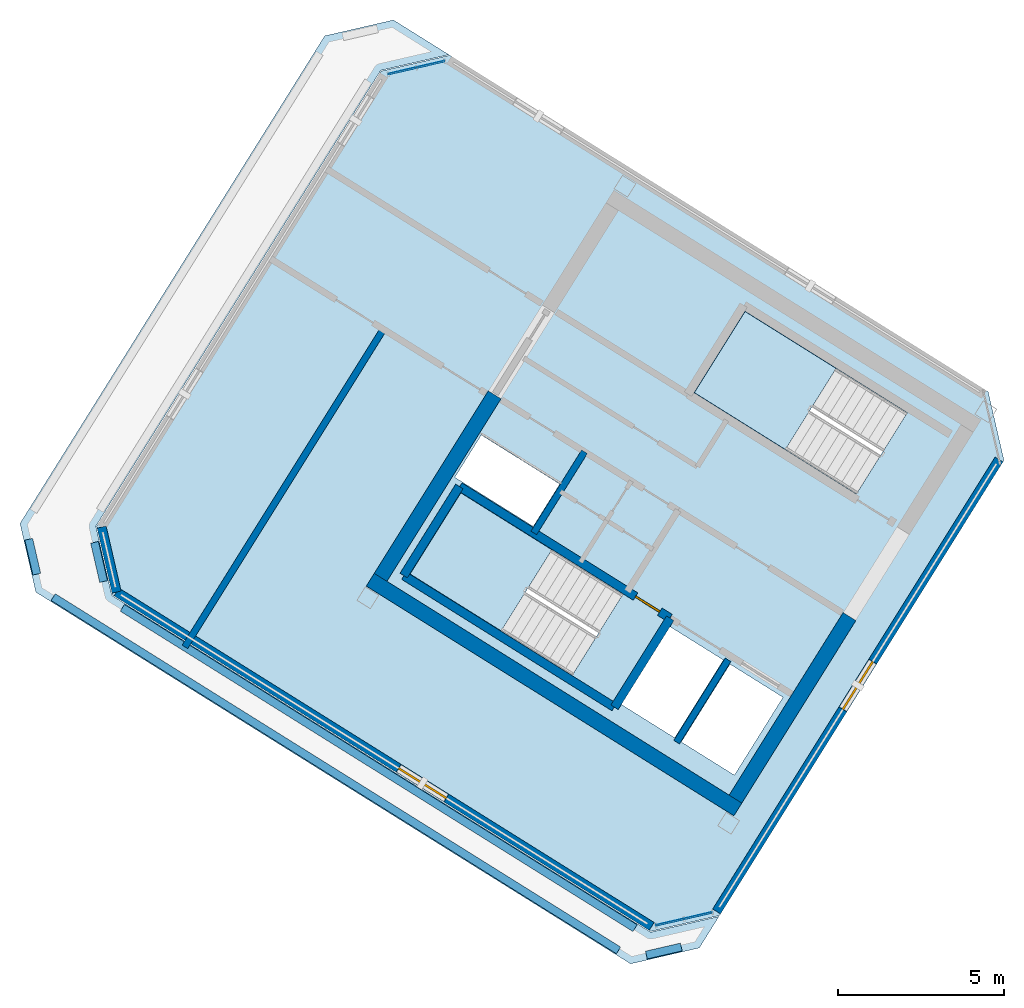
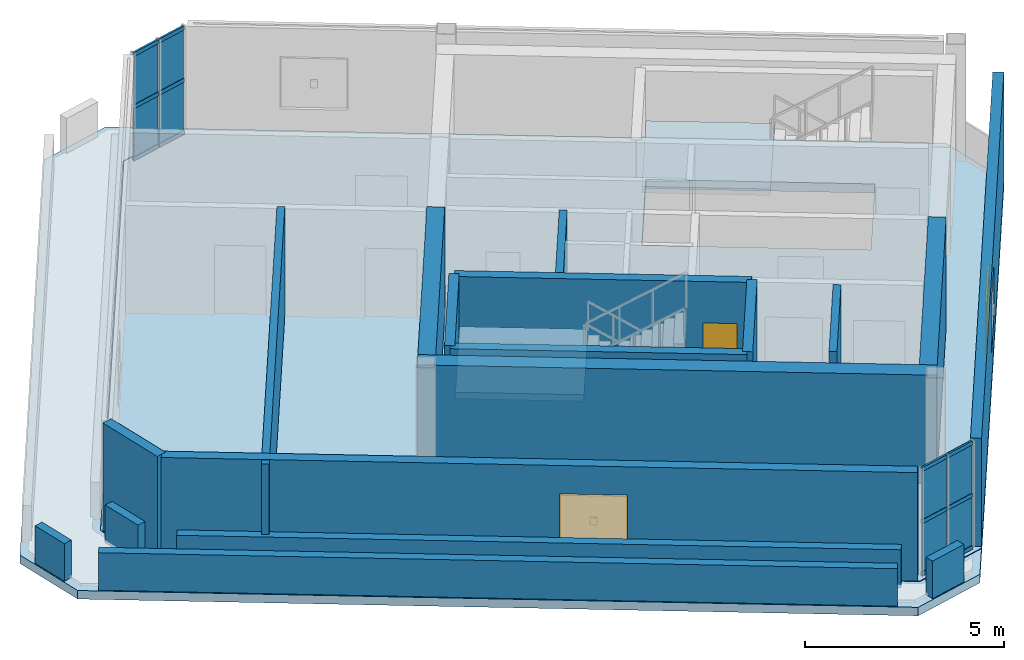
# One storey, part 4 of 9: 18 walls, 12 members, 8 plates, 4 slabs, 2 windows, 1 door, 3 openings, 4 elements without a shape of their own.
"""IFC4 building model written with IfcOpenShell, lengths in metres."""

from ifc_helpers import new_model, si_unit, direction, frame, frame_2d, origin, origin_2d, place, context, subcontext, project, spatial, polyline, rectangle, hollow_rectangle, outline, extrude, source, transform, mapped, material, layer, layer_set, material_profile, profile_set, type_object, element, fill, aggregate, save


model = new_model("IFC4")

# Units and contexts
model_context = context("Model", 3, precision=1e-05, world=origin(), true_north=direction((0.0, 1.0)))
body_context = subcontext(model_context, "Body", "Model", "MODEL_VIEW")
ifc_project = project(units=[si_unit("LENGTHUNIT", "METRE"), si_unit("AREAUNIT", "SQUARE_METRE"), si_unit("VOLUMEUNIT", "CUBIC_METRE"), si_unit("PLANEANGLEUNIT", "RADIAN"), si_unit("MASSUNIT", "GRAM", prefix="KILO")], contexts=[model_context])

# Site, building, storey
site_placement = place(None, origin())
site = spatial("IfcSite", under=ifc_project, at=site_placement, CompositionType="ELEMENT")
building_placement = place(site_placement, origin())
building = spatial("IfcBuilding", under=site, at=building_placement, Name="Tlacorven Tower", CompositionType="ELEMENT")
storey_placement = place(building_placement, frame((0.0, 0.0, 306.0)))
storey = spatial("IfcBuildingStorey", under=building, at=storey_placement, Name="L78", CompositionType="ELEMENT", Elevation=306.0)

# Curtain wall, members
ifc_material_1 = material(Name="Dark solar low-E double glazing in aluminium frame", Category="aluminium")
curtain_wall_type = type_object("IfcCurtainWallType", Name="CW-CRN-LANTERN", PredefinedType="USERDEFINED", material=ifc_material_1)
curtain_wall_1_placement = place(storey_placement, origin())
curtain_wall_1 = element("IfcCurtainWall", 1, at=curtain_wall_1_placement, inside=storey, type_object=curtain_wall_type, Name="L78 CW-CRN-LANTERN Curtain Wall 360", ObjectType="UNITISED CURTAIN WALL", PredefinedType="USERDEFINED")
ifc_material_2 = material(Name="Aluminium 6063-T6 anodised", Category="aluminium")
ifc_material_profile = material_profile(ifc_material_2, hollow_rectangle(XDim=0.054931640625, YDim=0.1201171875, WallThickness=0.00341796875, at=origin_2d()), Name="ALU TRANSOM 55X120")
ifc_profile_set = profile_set([ifc_material_profile], Name="Aluminium 6063-T6 anodised")
member_type = type_object("IfcMemberType", Name="CWT-03", PredefinedType="USERDEFINED", material=ifc_profile_set)
shared_shape_1 = source(origin(), body_context, "Body", "SweptSolid", [
    extrude(hollow_rectangle(XDim=0.054931640625, YDim=0.1201171875, WallThickness=0.00341796875, at=origin_2d()), origin(), (0.0, 0.0, 1.0), 0.84423828125),
])
member_1_placement = place(storey_placement, frame((32.545654296875, 9.40087890625, 0.06005859375), z_axis=(-0.974357063896, -0.225007359962, 0.0), x_axis=(0.225007359962, -0.974357063896, 0.0)))
member_1 = element("IfcMember", 2, at=member_1_placement, type_object=member_type, Name="CW-L78-360 Transom 1", ObjectType="TRANSOM", PredefinedType="USERDEFINED", context=body_context, shape_type="MappedRepresentation", body=[
    mapped(shared_shape_1, transform((0.0, 0.0, 0.0), scale=1.0)),
])
member_2_placement = place(storey_placement, frame((32.545654296875, 9.40087890625, 1.659912109375), z_axis=(-0.974357063896, -0.225007359962, 0.0), x_axis=(0.225007359962, -0.974357063896, 0.0)))
member_2 = element("IfcMember", 3, at=member_2_placement, type_object=member_type, Name="CW-L78-360 Transom 2", ObjectType="TRANSOM", PredefinedType="USERDEFINED", context=body_context, shape_type="MappedRepresentation", body=[
    mapped(shared_shape_1, transform((0.0, 0.0, 0.0), scale=1.0)),
])
member_3_placement = place(storey_placement, frame((32.545654296875, 9.40087890625, 3.260009765625), z_axis=(-0.974357063896, -0.225007359962, 0.0), x_axis=(0.225007359962, -0.974357063896, 0.0)))
member_3 = element("IfcMember", 4, at=member_3_placement, type_object=member_type, Name="CW-L78-360 Transom 3", ObjectType="TRANSOM", PredefinedType="USERDEFINED", context=body_context, shape_type="MappedRepresentation", body=[
    mapped(shared_shape_1, transform((0.0, 0.0, 0.0), scale=1.0)),
])
member_4_placement = place(storey_placement, frame((31.69287109375, 9.2041015625, 0.06005859375), z_axis=(-0.974357063896, -0.225007359962, 0.0), x_axis=(0.225007359962, -0.974357063896, 0.0)))
member_4 = element("IfcMember", 5, at=member_4_placement, type_object=member_type, Name="CW-L78-360 Transom 4", ObjectType="TRANSOM", PredefinedType="USERDEFINED", context=body_context, shape_type="MappedRepresentation", body=[
    mapped(shared_shape_1, transform((0.0, 0.0, 0.0), scale=1.0)),
])
member_5_placement = place(storey_placement, frame((31.69287109375, 9.2041015625, 1.659912109375), z_axis=(-0.974357063896, -0.225007359962, 0.0), x_axis=(0.225007359962, -0.974357063896, 0.0)))
member_5 = element("IfcMember", 6, at=member_5_placement, type_object=member_type, Name="CW-L78-360 Transom 5", ObjectType="TRANSOM", PredefinedType="USERDEFINED", context=body_context, shape_type="MappedRepresentation", body=[
    mapped(shared_shape_1, transform((0.0, 0.0, 0.0), scale=1.0)),
])
member_6_placement = place(storey_placement, frame((31.69287109375, 9.2041015625, 3.260009765625), z_axis=(-0.974357063896, -0.225007359962, 0.0), x_axis=(0.225007359962, -0.974357063896, 0.0)))
member_6 = element("IfcMember", 7, at=member_6_placement, type_object=member_type, Name="CW-L78-360 Transom 6", ObjectType="TRANSOM", PredefinedType="USERDEFINED", context=body_context, shape_type="MappedRepresentation", body=[
    mapped(shared_shape_1, transform((0.0, 0.0, 0.0), scale=1.0)),
])

curtain_wall_2_placement = place(storey_placement, origin())
curtain_wall_2 = element("IfcCurtainWall", 8, at=curtain_wall_2_placement, inside=storey, type_object=curtain_wall_type, Name="L78 CW-CRN-LANTERN Curtain Wall 361", ObjectType="UNITISED CURTAIN WALL", PredefinedType="USERDEFINED")
member_7_placement = place(storey_placement, frame((22.816650390625, 34.625732421875, 0.06005859375), z_axis=(0.974357063896, 0.225007359962, 0.0), x_axis=(-0.225007359962, 0.974357063896, 0.0)))
member_7 = element("IfcMember", 9, at=member_7_placement, type_object=member_type, Name="CW-L78-361 Transom 1", ObjectType="TRANSOM", PredefinedType="USERDEFINED", context=body_context, shape_type="MappedRepresentation", body=[
    mapped(shared_shape_1, transform((0.0, 0.0, 0.0), scale=1.0)),
])
member_8_placement = place(storey_placement, frame((22.816650390625, 34.625732421875, 1.659912109375), z_axis=(0.974357063896, 0.225007359962, 0.0), x_axis=(-0.225007359962, 0.974357063896, 0.0)))
member_8 = element("IfcMember", 10, at=member_8_placement, type_object=member_type, Name="CW-L78-361 Transom 2", ObjectType="TRANSOM", PredefinedType="USERDEFINED", context=body_context, shape_type="MappedRepresentation", body=[
    mapped(shared_shape_1, transform((0.0, 0.0, 0.0), scale=1.0)),
])
member_9_placement = place(storey_placement, frame((22.816650390625, 34.625732421875, 3.260009765625), z_axis=(0.974357063896, 0.225007359962, 0.0), x_axis=(-0.225007359962, 0.974357063896, 0.0)))
member_9 = element("IfcMember", 11, at=member_9_placement, type_object=member_type, Name="CW-L78-361 Transom 3", ObjectType="TRANSOM", PredefinedType="USERDEFINED", context=body_context, shape_type="MappedRepresentation", body=[
    mapped(shared_shape_1, transform((0.0, 0.0, 0.0), scale=1.0)),
])
member_10_placement = place(storey_placement, frame((23.66943359375, 34.822509765625, 0.06005859375), z_axis=(0.974357063896, 0.225007359962, 0.0), x_axis=(-0.225007359962, 0.974357063896, 0.0)))
member_10 = element("IfcMember", 12, at=member_10_placement, type_object=member_type, Name="CW-L78-361 Transom 4", ObjectType="TRANSOM", PredefinedType="USERDEFINED", context=body_context, shape_type="MappedRepresentation", body=[
    mapped(shared_shape_1, transform((0.0, 0.0, 0.0), scale=1.0)),
])
member_11_placement = place(storey_placement, frame((23.66943359375, 34.822509765625, 1.659912109375), z_axis=(0.974357063896, 0.225007359962, 0.0), x_axis=(-0.225007359962, 0.974357063896, 0.0)))
member_11 = element("IfcMember", 13, at=member_11_placement, type_object=member_type, Name="CW-L78-361 Transom 5", ObjectType="TRANSOM", PredefinedType="USERDEFINED", context=body_context, shape_type="MappedRepresentation", body=[
    mapped(shared_shape_1, transform((0.0, 0.0, 0.0), scale=1.0)),
])
member_12_placement = place(storey_placement, frame((23.66943359375, 34.822509765625, 3.260009765625), z_axis=(0.974357063896, 0.225007359962, 0.0), x_axis=(-0.225007359962, 0.974357063896, 0.0)))
member_12 = element("IfcMember", 14, at=member_12_placement, type_object=member_type, Name="CW-L78-361 Transom 6", ObjectType="TRANSOM", PredefinedType="USERDEFINED", context=body_context, shape_type="MappedRepresentation", body=[
    mapped(shared_shape_1, transform((0.0, 0.0, 0.0), scale=1.0)),
])

# Stair, slab
ifc_material_3 = material(Name="Concrete C40/50", Category="concrete")
stair_type = type_object("IfcStairType", Name="ST-CORE-DLG", PredefinedType="HALF_TURN_STAIR", material=ifc_material_3)
stair_1_placement = place(storey_placement, origin())
stair_1 = element("IfcStair", 15, at=stair_1_placement, inside=storey, type_object=stair_type, Name="L78 Protected Exit Stair West 1", PredefinedType="HALF_TURN_STAIR")
ifc_layer_1 = layer(ifc_material_3, 0.199951171875)
ifc_layer_set_1 = layer_set([ifc_layer_1], Name="Concrete C40/50")
slab_type_1 = type_object("IfcSlabType", Name="SL-LND-200", PredefinedType="LANDING", material=ifc_layer_set_1)
slab_1_placement = place(storey_placement, frame((0.0, 0.0, 1.60009765625)))
slab_1 = element("IfcSlab", 16, at=slab_1_placement, type_object=slab_type_1, Name="ST-W1 landing 1", PredefinedType="LANDING", context=body_context, shape_type="SweptSolid", body=[
    extrude(outline(polyline([(27.728515625, 20.315185546875), (24.9892578125, 22.02685546875), (23.463134765625, 19.58447265625), (26.2021484375, 17.872802734375), (27.728515625, 20.315185546875)])), origin(), (0.0, 0.0, 1.0), 0.199951171875),
])
aggregate(stair_1, [slab_1])

stair_2_placement = place(storey_placement, origin())
stair_2 = element("IfcStair", 17, at=stair_2_placement, inside=storey, type_object=stair_type, Name="L78 Protected Exit Stair West 2", PredefinedType="HALF_TURN_STAIR")
slab_2_placement = place(storey_placement, frame((0.0, 0.0, 1.60009765625)))
slab_2 = element("IfcSlab", 18, at=slab_2_placement, type_object=slab_type_1, Name="ST-W2 landing 1", PredefinedType="LANDING", context=body_context, shape_type="SweptSolid", body=[
    extrude(outline(polyline([(36.280029296875, 25.772705078125), (33.540771484375, 27.484375), (32.0146484375, 25.0419921875), (34.75390625, 23.33056640625), (36.280029296875, 25.772705078125)])), origin(), (0.0, 0.0, 1.0), 0.199951171875),
])
aggregate(stair_2, [slab_2])

# Slabs
ifc_layer_2 = layer(ifc_material_3, 0.260009765625)
ifc_layer_set_2 = layer_set([ifc_layer_2], Name="Concrete C40/50")
slab_type_2 = type_object("IfcSlabType", Name="SL-ROF-260", PredefinedType="ROOF", material=ifc_layer_set_2)
slab_3_placement = place(storey_placement, frame((0.0, 0.0, -0.260009765625)))
element("IfcSlab", 19, at=slab_3_placement, inside=storey, type_object=slab_type_2, Name="L78 Stepped Crown Terrace Roof Cap 1", PredefinedType="ROOF", context=body_context, shape_type="SweptSolid", body=[
    extrude(outline(polyline([(32.16357421875, 8.33447265625), (30.0966796875, 7.857177734375), (12.20263671875, 19.03857421875), (11.7255859375, 21.10546875), (20.89306640625, 35.776611328125), (22.960205078125, 36.25390625), (24.63232421875, 35.208984375), (22.584716796875, 34.736328125), (22.582763671875, 34.73583984375), (22.5810546875, 34.735107421875), (22.579345703125, 34.734130859375), (22.57763671875, 34.733154296875), (22.576171875, 34.73193359375), (22.57470703125, 34.73046875), (22.573486328125, 34.72900390625), (22.572265625, 34.7275390625), (14.01416015625, 21.031494140625), (14.01318359375, 21.02978515625), (14.012451171875, 21.028076171875), (14.01171875, 21.026123046875), (14.01123046875, 21.024169921875), (14.010986328125, 21.022216796875), (14.010986328125, 21.020263671875), (14.01123046875, 21.018310546875), (14.011474609375, 21.016357421875), (14.48876953125, 18.949462890625), (14.4892578125, 18.947509765625), (14.489990234375, 18.94580078125), (14.490966796875, 18.944091796875), (14.491943359375, 18.9423828125), (14.4931640625, 18.940673828125), (14.49462890625, 18.939453125), (14.49609375, 18.93798828125), (14.49755859375, 18.93701171875), (30.6953125, 8.8154296875), (30.697021484375, 8.814453125), (30.698974609375, 8.813720703125), (30.70068359375, 8.813232421875), (30.70263671875, 8.812744140625), (30.70458984375, 8.8125), (30.70654296875, 8.8125), (30.70849609375, 8.812744140625), (30.71044921875, 8.81298828125), (32.7578125, 9.28564453125), (32.16357421875, 8.33447265625)])), origin(), (0.0, 0.0, 1.0), 0.260009765625),
])
ifc_material_4 = material(Name="Concrete C50/60", Category="concrete")
ifc_layer_3 = layer(ifc_material_4, 0.280029296875)
ifc_layer_set_3 = layer_set([ifc_layer_3], Name="Concrete C50/60")
slab_type_3 = type_object("IfcSlabType", Name="SL-WND-280", PredefinedType="FLOOR", material=ifc_layer_set_3)
slab_4_placement = place(storey_placement, frame((0.0, 0.0, -0.280029296875)))
element("IfcSlab", 20, at=slab_4_placement, inside=storey, type_object=slab_type_3, Name="L78 Stepped Crown Tier 3 Floor Slab", PredefinedType="FLOOR", context=body_context, shape_type="SweptSolid", body=[
    extrude(outline(polyline([(40.85400390625, 25.072509765625), (24.65625, 35.194091796875), (22.58935546875, 34.716796875), (14.031005859375, 21.02099609375), (14.50830078125, 18.953857421875), (30.7060546875, 8.83251953125), (32.77294921875, 9.3095703125), (41.3310546875, 23.005615234375), (40.85400390625, 25.072509765625)]), holes=[polyline([(29.865478515625, 18.979736328125), (24.9892578125, 22.02685546875), (23.463134765625, 19.58447265625), (28.33935546875, 16.537353515625), (29.865478515625, 18.979736328125)]), polyline([(38.4169921875, 24.4375), (33.540771484375, 27.484375), (32.0146484375, 25.0419921875), (36.890869140625, 21.9951171875), (38.4169921875, 24.4375)]), polyline([(34.682373046875, 15.87548828125), (33.088134765625, 16.871826171875), (31.62548828125, 14.531005859375), (33.2197265625, 13.534912109375), (34.682373046875, 15.87548828125)]), polyline([(32.884521484375, 16.9990234375), (31.2392578125, 18.02685546875), (29.77685546875, 15.686279296875), (31.421875, 14.658203125), (32.884521484375, 16.9990234375)]), polyline([(27.96142578125, 22.2919921875), (25.603759765625, 23.76513671875), (24.80908203125, 22.4931640625), (27.16650390625, 21.02001953125), (27.96142578125, 22.2919921875)])]), origin(), (0.0, 0.0, 1.0), 0.280029296875),
])

# Plate
ifc_material_5 = material(Name="Crown dark solar fritted low-E glazing", Category="glass")
ifc_layer_4 = layer(ifc_material_5, 0.02392578125)
ifc_layer_set_4 = layer_set([ifc_layer_4], Name="Crown dark solar fritted low-E glazing")
plate_type = type_object("IfcPlateType", Name="CWP-04", PredefinedType="CURTAIN_PANEL", material=ifc_layer_set_4)
shared_shape_2 = source(origin(), body_context, "Body", "SweptSolid", [
    extrude(rectangle(XDim=0.838134765625, YDim=0.02392578125, at=origin_2d()), origin(), (0.0, 0.0, 1.0), 1.55810546875),
])
plate_1_placement = place(storey_placement, frame((32.13427734375, 9.305908203125, 0.051025390625), z_axis=(0.0, 0.0, 1.0), x_axis=(-0.97437037555, -0.22494970827, 0.0)))
plate_1 = element("IfcPlate", 21, at=plate_1_placement, type_object=plate_type, Name="CW-L78-360 Glazing Panel 1", PredefinedType="CURTAIN_PANEL", context=body_context, shape_type="MappedRepresentation", body=[
    mapped(shared_shape_2, transform((0.0, 0.0, 0.0), scale=1.0)),
])

plate_2_placement = place(storey_placement, frame((32.13427734375, 9.305908203125, 1.7109375), z_axis=(0.0, 0.0, 1.0), x_axis=(-0.97437037555, -0.22494970827, 0.0)))
plate_2 = element("IfcPlate", 22, at=plate_2_placement, type_object=plate_type, Name="CW-L78-360 Glazing Panel 2", PredefinedType="CURTAIN_PANEL", context=body_context, shape_type="MappedRepresentation", body=[
    mapped(shared_shape_2, transform((0.0, 0.0, 0.0), scale=1.0)),
])

plate_3_placement = place(storey_placement, frame((31.281494140625, 9.109130859375, 0.051025390625), z_axis=(0.0, 0.0, 1.0), x_axis=(-0.97437037555, -0.22494970827, 0.0)))
plate_3 = element("IfcPlate", 23, at=plate_3_placement, type_object=plate_type, Name="CW-L78-360 Glazing Panel 3", PredefinedType="CURTAIN_PANEL", context=body_context, shape_type="MappedRepresentation", body=[
    mapped(shared_shape_2, transform((0.0, 0.0, 0.0), scale=1.0)),
])

plate_4_placement = place(storey_placement, frame((31.281494140625, 9.109130859375, 1.7109375), z_axis=(0.0, 0.0, 1.0), x_axis=(-0.97437037555, -0.22494970827, 0.0)))
plate_4 = element("IfcPlate", 24, at=plate_4_placement, type_object=plate_type, Name="CW-L78-360 Glazing Panel 4", PredefinedType="CURTAIN_PANEL", context=body_context, shape_type="MappedRepresentation", body=[
    mapped(shared_shape_2, transform((0.0, 0.0, 0.0), scale=1.0)),
])

aggregate(curtain_wall_1, [member_1, member_2, member_3, plate_1, plate_2, member_4, member_5, member_6, plate_3, plate_4])

plate_5_placement = place(storey_placement, frame((23.227783203125, 34.720703125, 0.051025390625), z_axis=(0.0, 0.0, 1.0), x_axis=(0.97437037555, 0.22494970827, 0.0)))
plate_5 = element("IfcPlate", 25, at=plate_5_placement, type_object=plate_type, Name="CW-L78-361 Glazing Panel 1", PredefinedType="CURTAIN_PANEL", context=body_context, shape_type="MappedRepresentation", body=[
    mapped(shared_shape_2, transform((0.0, 0.0, 0.0), scale=1.0)),
])

plate_6_placement = place(storey_placement, frame((23.227783203125, 34.720703125, 1.7109375), z_axis=(0.0, 0.0, 1.0), x_axis=(0.97437037555, 0.22494970827, 0.0)))
plate_6 = element("IfcPlate", 26, at=plate_6_placement, type_object=plate_type, Name="CW-L78-361 Glazing Panel 2", PredefinedType="CURTAIN_PANEL", context=body_context, shape_type="MappedRepresentation", body=[
    mapped(shared_shape_2, transform((0.0, 0.0, 0.0), scale=1.0)),
])

plate_7_placement = place(storey_placement, frame((24.08056640625, 34.91748046875, 0.051025390625), z_axis=(0.0, 0.0, 1.0), x_axis=(0.97437037555, 0.22494970827, 0.0)))
plate_7 = element("IfcPlate", 27, at=plate_7_placement, type_object=plate_type, Name="CW-L78-361 Glazing Panel 3", PredefinedType="CURTAIN_PANEL", context=body_context, shape_type="MappedRepresentation", body=[
    mapped(shared_shape_2, transform((0.0, 0.0, 0.0), scale=1.0)),
])

plate_8_placement = place(storey_placement, frame((24.08056640625, 34.91748046875, 1.7109375), z_axis=(0.0, 0.0, 1.0), x_axis=(0.97437037555, 0.22494970827, 0.0)))
plate_8 = element("IfcPlate", 28, at=plate_8_placement, type_object=plate_type, Name="CW-L78-361 Glazing Panel 4", PredefinedType="CURTAIN_PANEL", context=body_context, shape_type="MappedRepresentation", body=[
    mapped(shared_shape_2, transform((0.0, 0.0, 0.0), scale=1.0)),
])

aggregate(curtain_wall_2, [member_7, member_8, member_9, plate_5, plate_6, member_10, member_11, member_12, plate_7, plate_8])

# Walls
ifc_layer_5 = layer(ifc_material_4, 0.449951171875)
ifc_layer_set_5 = layer_set([ifc_layer_5], Name="Concrete C50/60")
wall_type_1 = type_object("IfcWallType", Name="WL-COR-450", PredefinedType="SHEAR", material=ifc_layer_set_5)
wall_1_placement = place(storey_placement, frame((33.32373046875, 12.5029296875, 0.0), z_axis=(0.0, 0.0, 1.0), x_axis=(-0.848043529849, 0.529926571782, 0.0)))
element("IfcWall", 29, at=wall_1_placement, inside=storey, type_object=wall_type_1, Name="L78 W core shear wall S2", PredefinedType="SHEAR", context=body_context, shape_type="SweptSolid", body=[
    extrude(rectangle(XDim=13.039794921875, YDim=0.449951171875, at=frame_2d((6.52001953125, 0.0))), origin(), (0.0, 0.0, 1.0), 3.320068359375),
])
for number, where, z_axis, x_axis, name in (
    (30, (36.683349609375, 18.30419921875, 0.0), (0.0, 0.0, 1.0), (-0.529904039071, -0.848057609704, 0.0), "L78 W core end wall E1.2"),
    (31, (26.006591796875, 24.975830078125, 0.0), (0.0, 0.0, 1.0), (-0.529931155655, -0.848040665456, 0.0), "L78 W core end wall E2.2"),
):
    element("IfcWall", number, at=place(storey_placement, frame(where, z_axis=z_axis, x_axis=x_axis)), inside=storey, type_object=wall_type_1, Name=name, PredefinedType="SHEAR", context=body_context, shape_type="SweptSolid", body=[
        extrude(rectangle(XDim=6.47509765625, YDim=0.449951171875, at=frame_2d((3.237548828125, 0.0))), origin(), (0.0, 0.0, 1.0), 3.320068359375),
    ])

# Wall, opening, window
ifc_material_6 = material(Name="Precast concrete C45/55", Category="concrete")
ifc_layer_6 = layer(ifc_material_6, 0.280029296875)
ifc_layer_set_6 = layer_set([ifc_layer_6], Name="Precast concrete C45/55")
wall_type_2 = type_object("IfcWallType", Name="WL-EXT-280", PredefinedType="STANDARD", material=ifc_layer_set_6)
wall_2_placement = place(storey_placement, frame((41.181640625, 23.03076171875, 0.0), z_axis=(0.0, 0.0, 1.0), x_axis=(-0.529922292894, -0.848046203632, 0.0)))
wall_2 = element("IfcWall", 32, at=wall_2_placement, inside=storey, type_object=wall_type_2, Name="L78 Masonry-Frame Recessed Facade Wall 1", PredefinedType="STANDARD", context=body_context, shape_type="SweptSolid", body=[
    extrude(rectangle(XDim=16.0341796875, YDim=0.280029296875, at=frame_2d((8.01708984375, 0.0))), origin(), (0.0, 0.0, 1.0), 3.320068359375),
])
opening_1_placement = place(wall_2_placement, frame((7.1669921875, 0.0, 0.85009765625)))
opening_1 = element("IfcOpeningElement", 33, at=opening_1_placement, cuts=wall_2, Name="Opening WN19", PredefinedType="OPENING", context=body_context, shape_type="SweptSolid", body=[
    extrude(rectangle(XDim=1.699951171875, YDim=1.60009765625, at=frame_2d((0.85009765625, 0.800048828125))), frame((0.0, 0.14990234375, 0.0), z_axis=(0.0, -1.0, 0.0), x_axis=(1.0, 0.0, 0.0)), (0.0, 0.0, 1.0), 0.300048828125),
])
ifc_material_7 = material(Name="Dark solar low-E double glazing in anodised aluminium frame", Category="aluminium")
window_type = type_object("IfcWindowType", Name="WN-CRN-1700X1800", PartitioningType="SINGLE_PANEL", PredefinedType="WINDOW", material=ifc_material_7)
shared_shape_3 = source(origin(), body_context, "Body", "SweptSolid", [
    extrude(rectangle(XDim=1.699951171875, YDim=1.60009765625, at=frame_2d((0.85009765625, 0.800048828125))), frame((0.0, 0.030029296875, 0.0), z_axis=(0.0, -1.0, 0.0), x_axis=(1.0, 0.0, 0.0)), (0.0, 0.0, 1.0), 0.06005859375),
])
window_1_placement = place(opening_1_placement, origin())
window_1 = element("IfcWindow", 34, at=window_1_placement, inside=storey, type_object=window_type, Name="L78 Acoustic Plant Facade Window 1.1", OverallHeight=1.60009765625, OverallWidth=1.699951171875, PartitioningType="SINGLE_PANEL", PredefinedType="WINDOW", context=body_context, shape_type="MappedRepresentation", body=[
    mapped(shared_shape_3, transform((0.0, 0.0, 0.0), scale=1.0)),
])
fill(opening_1, window_1)

wall_3_placement = place(storey_placement, frame((30.73095703125, 8.98193359375, 0.0), z_axis=(0.0, 0.0, 1.0), x_axis=(-0.848046707212, 0.529921487002, 0.0)))
wall_3 = element("IfcWall", 35, at=wall_3_placement, inside=storey, type_object=wall_type_2, Name="L78 Masonry-Frame Recessed Facade Wall 2", PredefinedType="STANDARD", context=body_context, shape_type="SweptSolid", body=[
    extrude(rectangle(XDim=18.984130859375, YDim=0.280029296875, at=frame_2d((9.4921875, 0.0))), origin(), (0.0, 0.0, 1.0), 3.320068359375),
])
opening_2_placement = place(wall_3_placement, frame((7.283447265625, 0.0, 0.85009765625)))
opening_2 = element("IfcOpeningElement", 36, at=opening_2_placement, cuts=wall_3, Name="Opening WN19", PredefinedType="OPENING", context=body_context, shape_type="SweptSolid", body=[
    extrude(rectangle(XDim=1.699951171875, YDim=1.60009765625, at=frame_2d((0.85009765625, 0.800048828125))), frame((0.0, 0.14990234375, 0.0), z_axis=(0.0, -1.0, 0.0), x_axis=(1.0, 0.0, 0.0)), (0.0, 0.0, 1.0), 0.300048828125),
])
window_2_placement = place(opening_2_placement, origin())
window_2 = element("IfcWindow", 37, at=window_2_placement, inside=storey, type_object=window_type, Name="L78 Acoustic Plant Facade Window 2.1", OverallHeight=1.60009765625, OverallWidth=1.699951171875, PartitioningType="SINGLE_PANEL", PredefinedType="WINDOW", context=body_context, shape_type="MappedRepresentation", body=[
    mapped(shared_shape_3, transform((0.0, 0.0, 0.0), scale=1.0)),
])
fill(opening_2, window_2)

# Walls
wall_4_placement = place(storey_placement, frame((14.631591796875, 19.0419921875, 0.0), z_axis=(0.0, 0.0, 1.0), x_axis=(-0.224992881738, 0.974360407225, 0.0)))
element("IfcWall", 38, at=wall_4_placement, inside=storey, type_object=wall_type_2, Name="L78 Masonry-Frame Recessed Facade Wall 3", PredefinedType="STANDARD", context=body_context, shape_type="SweptSolid", body=[
    extrude(rectangle(XDim=2.00537109375, YDim=0.280029296875, at=frame_2d((1.002685546875, 0.0))), origin(), (0.0, 0.0, 1.0), 3.320068359375),
])
ifc_layer_7 = layer(ifc_material_6, 0.239990234375)
ifc_layer_set_7 = layer_set([ifc_layer_7], Name="Precast concrete C45/55")
wall_type_3 = type_object("IfcWallType", Name="WL-PAR-240", PredefinedType="PARAPET", material=ifc_layer_set_7)
wall_5_placement = place(storey_placement, frame((31.62109375, 8.363037109375, 0.0), z_axis=(0.0, 0.0, 1.0), x_axis=(-0.974395015602, -0.224842953123, 0.0)))
element("IfcWall", 39, at=wall_5_placement, inside=storey, type_object=wall_type_3, Name="L78 Stepped Crown Terrace Parapet 1 1", PredefinedType="PARAPET", context=body_context, shape_type="SweptSolid", body=[
    extrude(rectangle(XDim=1.0771484375, YDim=0.239990234375, at=frame_2d((0.53857421875, 0.0))), origin(), (0.0, 0.0, 1.0), 1.14990234375),
])
wall_6_placement = place(storey_placement, frame((29.733154296875, 8.26123046875, 0.0), z_axis=(0.0, 0.0, 1.0), x_axis=(-0.848045488864, 0.529923436751, 0.0)))
element("IfcWall", 40, at=wall_6_placement, inside=storey, type_object=wall_type_3, Name="L78 Stepped Crown Terrace Parapet 1 2", PredefinedType="PARAPET", context=body_context, shape_type="SweptSolid", body=[
    extrude(rectangle(XDim=20.0556640625, YDim=0.239990234375, at=frame_2d((10.02783203125, 0.0))), origin(), (0.0, 0.0, 1.0), 1.14990234375),
])
wall_7_placement = place(storey_placement, frame((12.2314453125, 19.5810546875, 0.0), z_axis=(0.0, 0.0, 1.0), x_axis=(-0.224892620968, 0.974383553348, 0.0)))
element("IfcWall", 41, at=wall_7_placement, inside=storey, type_object=wall_type_3, Name="L78 Stepped Crown Terrace Parapet 1 3", PredefinedType="PARAPET", context=body_context, shape_type="SweptSolid", body=[
    extrude(rectangle(XDim=1.076904296875, YDim=0.239990234375, at=frame_2d((0.53857421875, 0.0))), origin(), (0.0, 0.0, 1.0), 1.14990234375),
])
wall_8_placement = place(storey_placement, frame((13.968017578125, 20.537841796875, 0.0), z_axis=(0.0, 0.0, 1.0), x_axis=(0.225051308725, -0.974346913805, 0.0)))
element("IfcWall", 42, at=wall_8_placement, inside=storey, type_object=wall_type_3, Name="L78 Stepped Crown Terrace Parapet 1 7", PredefinedType="PARAPET", context=body_context, shape_type="SweptSolid", body=[
    extrude(rectangle(XDim=1.20849609375, YDim=0.239990234375, at=frame_2d((0.604248046875, 0.0))), origin(), (0.0, 0.0, 1.0), 1.14990234375),
])
wall_9_placement = place(storey_placement, frame((14.80517578125, 18.56787109375, 0.0), z_axis=(0.0, 0.0, 1.0), x_axis=(0.848046564959, -0.529921714653, 0.0)))
element("IfcWall", 43, at=wall_9_placement, inside=storey, type_object=wall_type_3, Name="L78 Stepped Crown Terrace Parapet 1 8", PredefinedType="PARAPET", context=body_context, shape_type="SweptSolid", body=[
    extrude(rectangle(XDim=18.1875, YDim=0.239990234375, at=frame_2d((9.09375, 0.0))), origin(), (0.0, 0.0, 1.0), 1.14990234375),
])
ifc_layer_8 = layer(ifc_material_3, 0.199951171875)
ifc_layer_set_8 = layer_set([ifc_layer_8], Name="Concrete C40/50")
wall_type_4 = type_object("IfcWallType", Name="WL-SHF-200", PredefinedType="STANDARD", material=ifc_layer_set_8)
wall_10_placement = place(storey_placement, frame((33.02880859375, 17.003173828125, 0.0), z_axis=(0.0, 0.0, 1.0), x_axis=(-0.529916267533, -0.848049968695, 0.0)))
element("IfcWall", 44, at=wall_10_placement, inside=storey, type_object=wall_type_4, Name="L78 partition 13", PredefinedType="STANDARD", context=body_context, shape_type="SweptSolid", body=[
    extrude(rectangle(XDim=2.919921875, YDim=0.199951171875, at=frame_2d((1.4599609375, 0.0))), origin(), (0.0, 0.0, 1.0), 3.31005859375),
])
wall_11_placement = place(storey_placement, frame((28.709716796875, 23.26318359375, 0.0), z_axis=(0.0, 0.0, 1.0), x_axis=(-0.529907497854, -0.848055448493, 0.0)))
element("IfcWall", 45, at=wall_11_placement, inside=storey, type_object=wall_type_4, Name="L78 partition 15", PredefinedType="STANDARD", context=body_context, shape_type="SweptSolid", body=[
    extrude(rectangle(XDim=2.8798828125, YDim=0.199951171875, at=frame_2d((1.43994140625, 0.0))), origin(), (0.0, 0.0, 1.0), 3.31005859375),
])
wall_12_placement = place(storey_placement, frame((22.658935546875, 26.94970703125, 0.0), z_axis=(0.0, 0.0, 1.0), x_axis=(-0.52992299529, -0.848045764722, 0.0)))
element("IfcWall", 46, at=wall_12_placement, inside=storey, type_object=wall_type_4, Name="L78 partition 22", PredefinedType="STANDARD", context=body_context, shape_type="SweptSolid", body=[
    extrude(rectangle(XDim=11.269775390625, YDim=0.199951171875, at=frame_2d((5.634765625, 0.0))), origin(), (0.0, 0.0, 1.0), 3.31005859375),
])
ifc_layer_9 = layer(ifc_material_4, 0.260009765625)
ifc_layer_set_9 = layer_set([ifc_layer_9], Name="Concrete C50/60")
wall_type_5 = type_object("IfcWallType", Name="WL-STW-260", PredefinedType="SHEAR", material=ifc_layer_set_9)
wall_13_placement = place(storey_placement, frame((29.60498046875, 15.581298828125, 0.0), z_axis=(0.0, 0.0, 1.0), x_axis=(-0.848036911448, 0.529937163087, 0.0)))
element("IfcWall", 47, at=wall_13_placement, inside=storey, type_object=wall_type_5, Name="L78 Stair W1 Far Shear Wall", PredefinedType="SHEAR", context=body_context, shape_type="SweptSolid", body=[
    extrude(rectangle(XDim=7.4599609375, YDim=0.260009765625, at=frame_2d((3.72998046875, 0.0))), origin(), (0.0, 0.0, 1.0), 3.320068359375),
])

# Wall, opening, door
wall_14_placement = place(storey_placement, frame((31.279541015625, 18.26123046875, 0.0), z_axis=(0.0, 0.0, 1.0), x_axis=(-0.848051618787, 0.529913626805, 0.0)))
wall_14 = element("IfcWall", 48, at=wall_14_placement, inside=storey, type_object=wall_type_5, Name="L78 Stair W1 Lobby Shear Wall", PredefinedType="SHEAR", context=body_context, shape_type="SweptSolid", body=[
    extrude(rectangle(XDim=7.4599609375, YDim=0.260009765625, at=frame_2d((3.72998046875, 0.0))), origin(), (0.0, 0.0, 1.0), 3.320068359375),
])
opening_3_placement = place(wall_14_placement, frame((0.360107421875, 0.0, 0.0)))
opening_3 = element("IfcOpeningElement", 49, at=opening_3_placement, cuts=wall_14, Name="Opening D19", PredefinedType="OPENING", context=body_context, shape_type="SweptSolid", body=[
    extrude(rectangle(XDim=0.860107421875, YDim=2.050048828125, at=frame_2d((0.43017578125, 1.02490234375))), frame((0.0, 0.14013671875, 0.0), z_axis=(0.0, -1.0, 0.0), x_axis=(1.0, 0.0, 0.0)), (0.0, 0.0, 1.0), 0.280029296875),
])
ifc_material_8 = material(Name="Fire-rated steel door assembly", Category="steel")
door_type = type_object("IfcDoorType", Name="DR-RSR-FD60-0860", OperationType="NOTDEFINED", PredefinedType="DOOR", material=ifc_material_8)
shared_shape_4 = source(origin(), body_context, "Body", "SweptSolid", [
    extrude(rectangle(XDim=0.860107421875, YDim=2.050048828125, at=frame_2d((0.43017578125, 1.02490234375))), frame((0.0, 0.02490234375, 0.0), z_axis=(0.0, -1.0, 0.0), x_axis=(1.0, 0.0, 0.0)), (0.0, 0.0, 1.0), 0.050048828125),
])
door_placement = place(opening_3_placement, frame((0.860107421875, 0.0, 0.0), z_axis=(0.0, 0.0, 1.0), x_axis=(-1.0, 0.0, 0.0)))
door = element("IfcDoor", 50, at=door_placement, inside=storey, type_object=door_type, Name="L78 Exit Stair W1 Fire Door", OperationType="SINGLE_SWING_LEFT", OverallHeight=2.050048828125, OverallWidth=0.860107421875, PredefinedType="DOOR", context=body_context, shape_type="MappedRepresentation", body=[
    mapped(shared_shape_4, transform((0.0, 0.0, 0.0), scale=1.0)),
])
fill(opening_3, door)

# Walls
wall_15_placement = place(storey_placement, frame((31.2880859375, 18.255859375, 0.0), z_axis=(0.0, 0.0, 1.0), x_axis=(-0.529943379326, -0.848033026897, 0.0)))
element("IfcWall", 51, at=wall_15_placement, inside=storey, type_object=wall_type_5, Name="L78 Stair W1 West Shear Wall", PredefinedType="SHEAR", context=body_context, shape_type="SweptSolid", body=[
    extrude(rectangle(XDim=3.159912109375, YDim=0.260009765625, at=frame_2d((1.580078125, 0.0))), origin(), (0.0, 0.0, 1.0), 3.320068359375),
])
wall_16_placement = place(storey_placement, frame((24.944580078125, 22.2197265625, 0.0), z_axis=(0.0, 0.0, 1.0), x_axis=(-0.529908658664, -0.84805472316, 0.0)))
element("IfcWall", 52, at=wall_16_placement, inside=storey, type_object=wall_type_5, Name="L78 Stair W1 East Shear Wall", PredefinedType="SHEAR", context=body_context, shape_type="SweptSolid", body=[
    extrude(rectangle(XDim=3.16015625, YDim=0.260009765625, at=frame_2d((1.580078125, 0.0))), origin(), (0.0, 0.0, 1.0), 3.320068359375),
])

save(model, "model.ifc")
